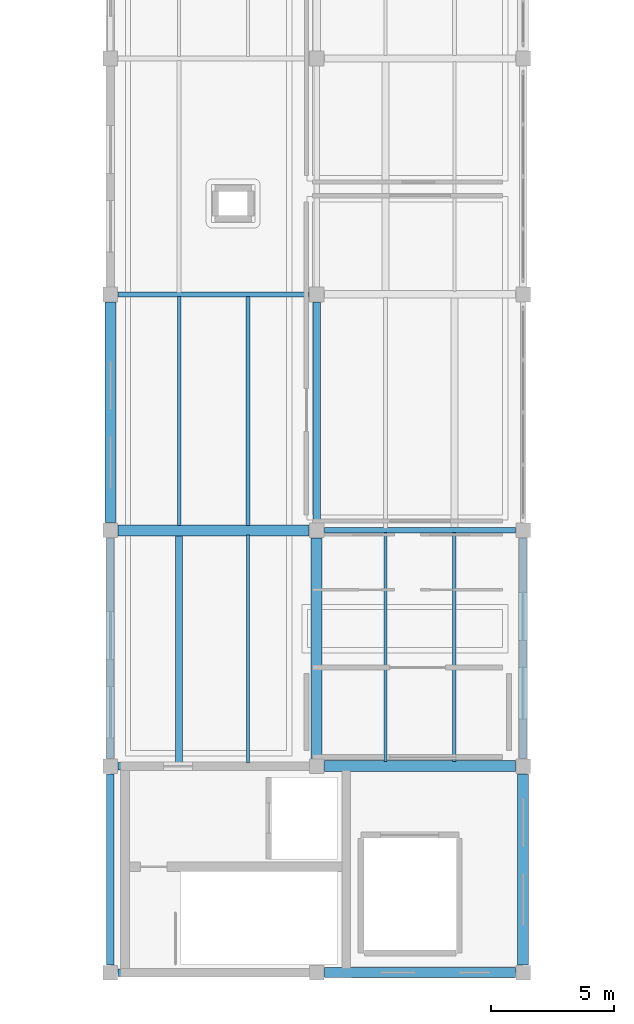
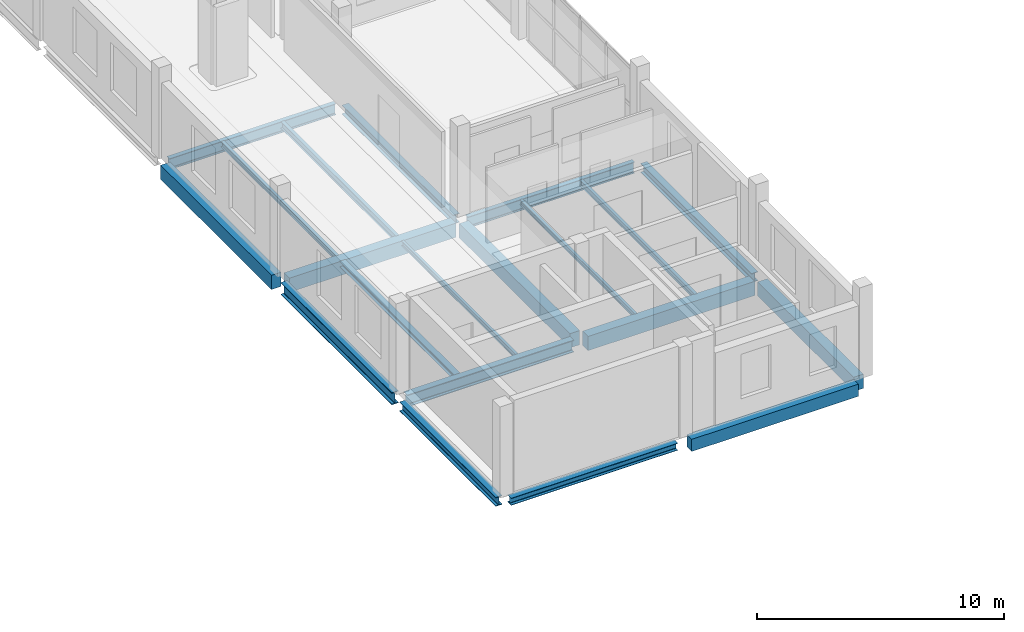
# One storey, part 25 of 54: 20 beams.
"""IFC4 building model written with IfcOpenShell, lengths in metres."""

from ifc_helpers import new_model, si_unit, direction, frame, origin, origin_2d, place, context, subcontext, project, spatial, rectangle, i_section, extrude, material, material_profile, profile_set, type_object, element, save


model = new_model("IFC4")

# Units and contexts
model_context = context("Model", 3, precision=1e-05, world=origin(), true_north=direction((0.0, 1.0)))
body_context = subcontext(model_context, "Body", "Model", "MODEL_VIEW")
ifc_project = project(units=[si_unit("LENGTHUNIT", "METRE"), si_unit("AREAUNIT", "SQUARE_METRE"), si_unit("VOLUMEUNIT", "CUBIC_METRE"), si_unit("PLANEANGLEUNIT", "RADIAN"), si_unit("MASSUNIT", "GRAM", prefix="KILO")], contexts=[model_context])

# Site, building, storey
site_placement = place(None, origin())
site = spatial("IfcSite", under=ifc_project, at=site_placement, CompositionType="ELEMENT")
building_placement = place(site_placement, origin())
building = spatial("IfcBuilding", under=site, at=building_placement, Name="Zulmaris Art Gallery", CompositionType="ELEMENT")
storey_placement = place(building_placement, frame((0.0, 0.0, 26.39990234375)))
storey = spatial("IfcBuildingStorey", under=building, at=storey_placement, Name="L05", CompositionType="ELEMENT", Elevation=26.39990234375)

# Beams
ifc_material_1 = material(Name="Steel S355J2", Category="steel")
ifc_material_profile_1 = material_profile(ifc_material_1, i_section(OverallWidth=0.2099609375, OverallDepth=0.550048828125, WebThickness=0.010986328125, FlangeThickness=0.01708984375, FilletRadius=0.02392578125, at=origin_2d()), Name="IPE 550")
ifc_profile_set_1 = profile_set([ifc_material_profile_1], Name="Steel S355J2")
beam_type_1 = type_object("IfcBeamType", Name="BEAM-BM06", PredefinedType="BEAM", material=ifc_profile_set_1)
for number, where, z_axis, x_axis, name in (
    (1, (150.31005859375, 31.199951171875, -0.5849609375), (1.0, 0.0, 0.0), (0.0, 1.0, 0.0), "L05 X-girder (150.0..158.4, y=31.2)"),
    (2, (141.909912109375, 40.800048828125, -0.5849609375), (1.0, 0.0, 0.0), (0.0, 1.0, 0.0), "L05 X-girder (141.6..150.0, y=40.8)"),
):
    element("IfcBeam", number, at=place(storey_placement, frame(where, z_axis=z_axis, x_axis=x_axis)), inside=storey, type_object=beam_type_1, Name=name, PredefinedType="BEAM", context=body_context, shape_type="SweptSolid", body=[
        extrude(i_section(OverallWidth=0.2099609375, OverallDepth=0.550048828125, WebThickness=0.010986328125, FlangeThickness=0.01708984375, FilletRadius=0.02392578125, at=origin_2d()), origin(), (0.0, 0.0, 1.0), 7.780029296875),
    ])
ifc_material_profile_2 = material_profile(ifc_material_1, i_section(OverallWidth=0.300048828125, OverallDepth=0.449951171875, WebThickness=0.013916015625, FlangeThickness=0.02587890625, FilletRadius=0.027099609375, at=origin_2d()), Name="HEB 450")
ifc_profile_set_2 = profile_set([ifc_material_profile_2], Name="Steel S355J2")
beam_type_2 = type_object("IfcBeamType", Name="BEAM-BM13", PredefinedType="BEAM", material=ifc_profile_set_2)
beam_1_placement = place(storey_placement, frame((141.60009765625, 13.510009765625, -0.60986328125), z_axis=(0.0, 1.0, 0.0), x_axis=(-1.0, 0.0, 0.0)))
element("IfcBeam", 3, at=beam_1_placement, inside=storey, type_object=beam_type_2, Name="L05 Y-girder (x=141.6, 13.2..21.6)", PredefinedType="BEAM", context=body_context, shape_type="SweptSolid", body=[
    extrude(i_section(OverallWidth=0.300048828125, OverallDepth=0.449951171875, WebThickness=0.013916015625, FlangeThickness=0.02587890625, FilletRadius=0.027099609375, at=origin_2d()), origin(), (0.0, 0.0, 1.0), 7.780029296875),
])
for number, where, z_axis, x_axis, name in (
    (4, (150.0, 31.510009765625, -0.534912109375), (0.0, 1.0, 0.0), (-1.0, 0.0, 0.0), "L05 Y-girder (x=150.0, 31.2..40.8)"),
    (5, (158.39990234375, 21.909912109375, -0.534912109375), (0.0, 1.0, 0.0), (-1.0, 0.0, 0.0), "L05 Y-girder (x=158.4, 21.6..31.2)"),
):
    element("IfcBeam", number, at=place(storey_placement, frame(where, z_axis=z_axis, x_axis=x_axis)), inside=storey, type_object=beam_type_2, Name=name, PredefinedType="BEAM", context=body_context, shape_type="SweptSolid", body=[
        extrude(i_section(OverallWidth=0.300048828125, OverallDepth=0.449951171875, WebThickness=0.013916015625, FlangeThickness=0.02587890625, FilletRadius=0.027099609375, at=origin_2d()), origin(), (0.0, 0.0, 1.0), 8.97998046875),
    ])
ifc_material_profile_3 = material_profile(ifc_material_1, i_section(OverallWidth=0.300048828125, OverallDepth=0.60009765625, WebThickness=0.015380859375, FlangeThickness=0.030029296875, FilletRadius=0.027099609375, at=origin_2d()), Name="HEB 600")
ifc_profile_set_3 = profile_set([ifc_material_profile_3], Name="Steel S355J2")
beam_type_3 = type_object("IfcBeamType", Name="BEAM-BM15", PredefinedType="BEAM", material=ifc_profile_set_3)
beam_2_placement = place(storey_placement, frame((141.909912109375, 21.60009765625, -0.60986328125), z_axis=(1.0, 0.0, 0.0), x_axis=(0.0, 1.0, 0.0)))
element("IfcBeam", 6, at=beam_2_placement, inside=storey, type_object=beam_type_3, Name="L05 X-girder (141.6..150.0, y=21.6)", PredefinedType="BEAM", context=body_context, shape_type="SweptSolid", body=[
    extrude(i_section(OverallWidth=0.300048828125, OverallDepth=0.60009765625, WebThickness=0.015380859375, FlangeThickness=0.030029296875, FilletRadius=0.027099609375, at=origin_2d()), origin(), (0.0, 0.0, 1.0), 7.780029296875),
])
beam_3_placement = place(storey_placement, frame((141.60009765625, 21.909912109375, -0.60986328125), z_axis=(0.0, 1.0, 0.0), x_axis=(-1.0, 0.0, 0.0)))
element("IfcBeam", 7, at=beam_3_placement, inside=storey, type_object=beam_type_3, Name="L05 Y-girder (x=141.6, 21.6..31.2)", PredefinedType="BEAM", context=body_context, shape_type="SweptSolid", body=[
    extrude(i_section(OverallWidth=0.300048828125, OverallDepth=0.60009765625, WebThickness=0.015380859375, FlangeThickness=0.030029296875, FilletRadius=0.027099609375, at=origin_2d()), origin(), (0.0, 0.0, 1.0), 8.97998046875),
])
ifc_material_2 = material(Name="Concrete C40/50", Category="concrete")
ifc_material_profile_4 = material_profile(ifc_material_2, rectangle(XDim=0.449951171875, YDim=0.699951171875, at=origin_2d()), Name="RC 450x700")
ifc_profile_set_4 = profile_set([ifc_material_profile_4], Name="Concrete C40/50")
beam_type_4 = type_object("IfcBeamType", Name="BEAM-BM19", PredefinedType="BEAM", material=ifc_profile_set_4)
for number, where, z_axis, x_axis, name in (
    (8, (150.31005859375, 21.60009765625, -0.659912109375), (1.0, 0.0, 0.0), (0.0, 1.0, 0.0), "L05 X-girder (150.0..158.4, y=21.6)"),
    (9, (141.909912109375, 31.199951171875, -0.659912109375), (1.0, 0.0, 0.0), (0.0, 1.0, 0.0), "L05 X-girder (141.6..150.0, y=31.2)"),
):
    element("IfcBeam", number, at=place(storey_placement, frame(where, z_axis=z_axis, x_axis=x_axis)), inside=storey, type_object=beam_type_4, Name=name, PredefinedType="BEAM", context=body_context, shape_type="SweptSolid", body=[
        extrude(rectangle(XDim=0.449951171875, YDim=0.699951171875, at=origin_2d()), origin(), (0.0, 0.0, 1.0), 7.780029296875),
    ])
for number, where, z_axis, x_axis, name in (
    (10, (141.60009765625, 31.510009765625, -0.659912109375), (0.0, 1.0, 0.0), (-1.0, 0.0, 0.0), "L05 Y-girder (x=141.6, 31.2..40.8)"),
    (11, (150.0, 21.909912109375, -0.659912109375), (0.0, 1.0, 0.0), (-1.0, 0.0, 0.0), "L05 Y-girder (x=150.0, 21.6..31.2)"),
):
    element("IfcBeam", number, at=place(storey_placement, frame(where, z_axis=z_axis, x_axis=x_axis)), inside=storey, type_object=beam_type_4, Name=name, PredefinedType="BEAM", context=body_context, shape_type="SweptSolid", body=[
        extrude(rectangle(XDim=0.449951171875, YDim=0.699951171875, at=origin_2d()), origin(), (0.0, 0.0, 1.0), 8.97998046875),
    ])
beam_4_placement = place(storey_placement, frame((158.39990234375, 13.510009765625, -0.659912109375), z_axis=(0.0, 1.0, 0.0), x_axis=(-1.0, 0.0, 0.0)))
element("IfcBeam", 12, at=beam_4_placement, inside=storey, type_object=beam_type_4, Name="L05 Y-girder (x=158.4, 13.2..21.6)", PredefinedType="BEAM", context=body_context, shape_type="SweptSolid", body=[
    extrude(rectangle(XDim=0.449951171875, YDim=0.699951171875, at=origin_2d()), origin(), (0.0, 0.0, 1.0), 7.780029296875),
])
ifc_material_profile_5 = material_profile(ifc_material_1, i_section(OverallWidth=0.1201171875, OverallDepth=0.239990234375, WebThickness=0.006103515625, FlangeThickness=0.009765625, FilletRadius=0.014892578125, at=origin_2d()), Name="IPE 240")
ifc_profile_set_5 = profile_set([ifc_material_profile_5], Name="Steel S355J2")
beam_type_5 = type_object("IfcBeamType", Name="BEAM-JS01", PredefinedType="JOIST", material=ifc_profile_set_5)
beam_5_placement = place(storey_placement, frame((147.199951171875, 21.72509765625, -0.429931640625), z_axis=(0.0, 1.0, 0.0), x_axis=(-1.0, 0.0, 0.0)))
element("IfcBeam", 13, at=beam_5_placement, inside=storey, type_object=beam_type_5, Name="L05 secondary joist at x=147.2", PredefinedType="JOIST", context=body_context, shape_type="SweptSolid", body=[
    extrude(i_section(OverallWidth=0.1201171875, OverallDepth=0.239990234375, WebThickness=0.006103515625, FlangeThickness=0.009765625, FilletRadius=0.014892578125, at=origin_2d()), origin(), (0.0, 0.0, 1.0), 9.27490234375),
])
beam_6_placement = place(storey_placement, frame((152.800048828125, 21.800048828125, -0.429931640625), z_axis=(0.0, 1.0, 0.0), x_axis=(-1.0, 0.0, 0.0)))
element("IfcBeam", 14, at=beam_6_placement, inside=storey, type_object=beam_type_5, Name="L05 secondary joist at x=152.8", PredefinedType="JOIST", context=body_context, shape_type="SweptSolid", body=[
    extrude(i_section(OverallWidth=0.1201171875, OverallDepth=0.239990234375, WebThickness=0.006103515625, FlangeThickness=0.009765625, FilletRadius=0.014892578125, at=origin_2d()), origin(), (0.0, 0.0, 1.0), 9.320068359375),
])
ifc_material_profile_6 = material_profile(ifc_material_1, i_section(OverallWidth=0.135009765625, OverallDepth=0.27001953125, WebThickness=0.006591796875, FlangeThickness=0.01025390625, FilletRadius=0.014892578125, at=origin_2d()), Name="IPE 270")
ifc_profile_set_6 = profile_set([ifc_material_profile_6], Name="Steel S355J2")
beam_type_6 = type_object("IfcBeamType", Name="BEAM-JS02", PredefinedType="JOIST", material=ifc_profile_set_6)
for number, where, z_axis, x_axis, name in (
    (15, (144.39990234375, 31.39990234375, -0.44482421875), (0.0, 1.0, 0.0), (-1.0, 0.0, 0.0), "L05 secondary joist at x=144.4"),
    (16, (155.60009765625, 21.800048828125, -0.44482421875), (0.0, 1.0, 0.0), (-1.0, 0.0, 0.0), "L05 secondary joist at x=155.6"),
):
    element("IfcBeam", number, at=place(storey_placement, frame(where, z_axis=z_axis, x_axis=x_axis)), inside=storey, type_object=beam_type_6, Name=name, PredefinedType="JOIST", context=body_context, shape_type="SweptSolid", body=[
        extrude(i_section(OverallWidth=0.135009765625, OverallDepth=0.27001953125, WebThickness=0.006591796875, FlangeThickness=0.01025390625, FilletRadius=0.014892578125, at=origin_2d()), origin(), (0.0, 0.0, 1.0), 9.320068359375),
    ])
ifc_material_profile_7 = material_profile(ifc_material_1, i_section(OverallWidth=0.159912109375, OverallDepth=0.330078125, WebThickness=0.007568359375, FlangeThickness=0.011474609375, FilletRadius=0.01806640625, at=origin_2d()), Name="IPE 330")
ifc_profile_set_7 = profile_set([ifc_material_profile_7], Name="Steel S355J2")
beam_type_7 = type_object("IfcBeamType", Name="BEAM-JS03", PredefinedType="JOIST", material=ifc_profile_set_7)
beam_7_placement = place(storey_placement, frame((147.199951171875, 31.39990234375, -0.474853515625), z_axis=(0.0, 1.0, 0.0), x_axis=(-1.0, 0.0, 0.0)))
element("IfcBeam", 17, at=beam_7_placement, inside=storey, type_object=beam_type_7, Name="L05 secondary joist at x=147.2", PredefinedType="JOIST", context=body_context, shape_type="SweptSolid", body=[
    extrude(i_section(OverallWidth=0.159912109375, OverallDepth=0.330078125, WebThickness=0.007568359375, FlangeThickness=0.011474609375, FilletRadius=0.01806640625, at=origin_2d()), origin(), (0.0, 0.0, 1.0), 9.320068359375),
])
ifc_material_profile_8 = material_profile(ifc_material_1, i_section(OverallWidth=0.280029296875, OverallDepth=0.27001953125, WebThickness=0.008056640625, FlangeThickness=0.012939453125, FilletRadius=0.02392578125, at=origin_2d()), Name="HEA 280")
ifc_profile_set_8 = profile_set([ifc_material_profile_8], Name="Steel S355J2")
beam_type_8 = type_object("IfcBeamType", Name="BEAM-JS04", PredefinedType="JOIST", material=ifc_profile_set_8)
beam_8_placement = place(storey_placement, frame((144.39990234375, 21.72509765625, -0.44482421875), z_axis=(0.0, 1.0, 0.0), x_axis=(-1.0, 0.0, 0.0)))
element("IfcBeam", 18, at=beam_8_placement, inside=storey, type_object=beam_type_8, Name="L05 secondary joist at x=144.4", PredefinedType="JOIST", context=body_context, shape_type="SweptSolid", body=[
    extrude(i_section(OverallWidth=0.280029296875, OverallDepth=0.27001953125, WebThickness=0.008056640625, FlangeThickness=0.012939453125, FilletRadius=0.02392578125, at=origin_2d()), origin(), (0.0, 0.0, 1.0), 9.27490234375),
])
ifc_material_profile_9 = material_profile(ifc_material_1, i_section(OverallWidth=0.300048828125, OverallDepth=0.35009765625, WebThickness=0.010009765625, FlangeThickness=0.017578125, FilletRadius=0.027099609375, at=origin_2d()), Name="HEA 360")
ifc_profile_set_9 = profile_set([ifc_material_profile_9], Name="Steel S355J2")
beam_type_9 = type_object("IfcBeamType", Name="BEAM-SP01", PredefinedType="SPANDREL", material=ifc_profile_set_9)
beam_9_placement = place(storey_placement, frame((141.909912109375, 13.199951171875, -0.48486328125), z_axis=(1.0, 0.0, 0.0), x_axis=(0.0, 1.0, 0.0)))
element("IfcBeam", 19, at=beam_9_placement, inside=storey, type_object=beam_type_9, Name="L05 X-girder (141.6..150.0, y=13.2)", PredefinedType="SPANDREL", context=body_context, shape_type="SweptSolid", body=[
    extrude(i_section(OverallWidth=0.300048828125, OverallDepth=0.35009765625, WebThickness=0.010009765625, FlangeThickness=0.017578125, FilletRadius=0.027099609375, at=origin_2d()), origin(), (0.0, 0.0, 1.0), 7.780029296875),
])
ifc_material_profile_10 = material_profile(ifc_material_2, rectangle(XDim=0.39990234375, YDim=0.60009765625, at=origin_2d()), Name="RC 400x600")
ifc_profile_set_10 = profile_set([ifc_material_profile_10], Name="Concrete C40/50")
beam_type_10 = type_object("IfcBeamType", Name="BEAM-SP03", PredefinedType="SPANDREL", material=ifc_profile_set_10)
beam_10_placement = place(storey_placement, frame((150.31005859375, 13.199951171875, -0.60986328125), z_axis=(1.0, 0.0, 0.0), x_axis=(0.0, 1.0, 0.0)))
element("IfcBeam", 20, at=beam_10_placement, inside=storey, type_object=beam_type_10, Name="L05 X-girder (150.0..158.4, y=13.2)", PredefinedType="SPANDREL", context=body_context, shape_type="SweptSolid", body=[
    extrude(rectangle(XDim=0.39990234375, YDim=0.60009765625, at=origin_2d()), origin(), (0.0, 0.0, 1.0), 7.780029296875),
])

save(model, "model.ifc")
